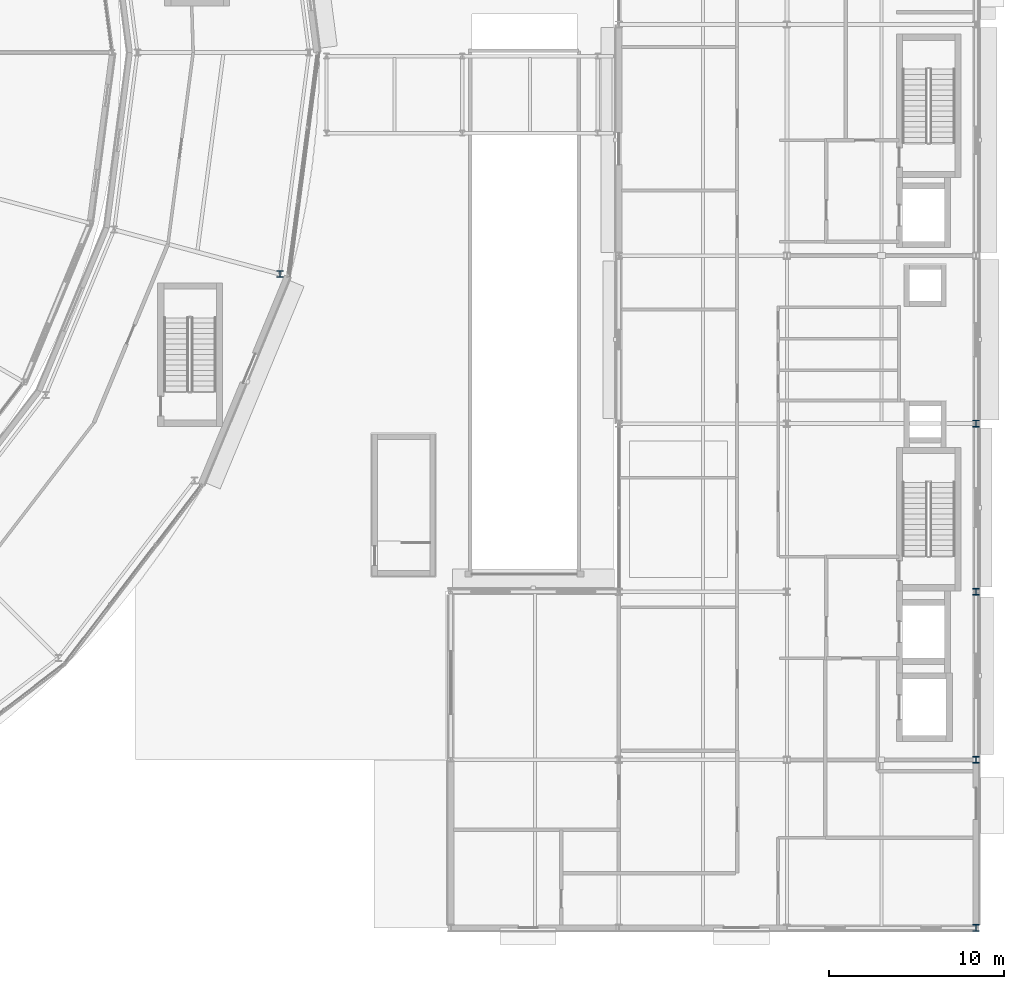
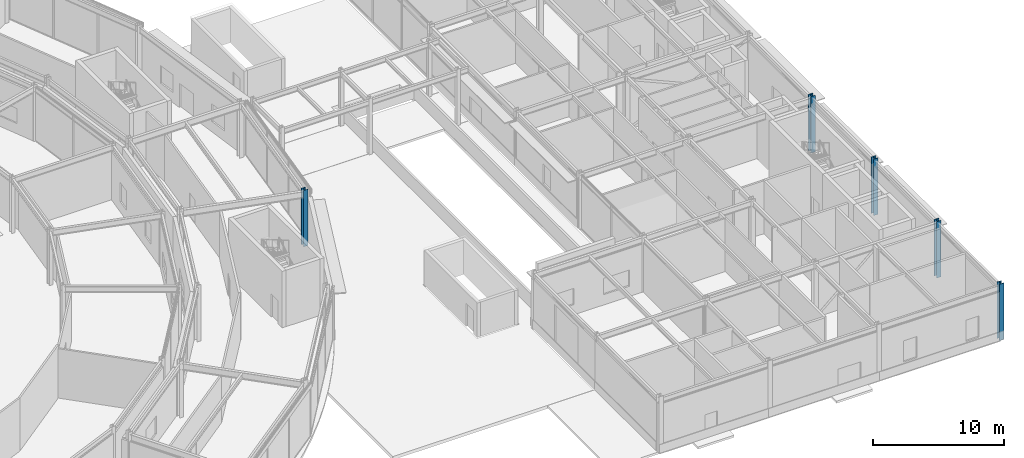
# One storey, part 16 of 168: 5 columns.
"""IFC4 building model written with IfcOpenShell, lengths in metres."""

from ifc_helpers import new_model, si_unit, direction, frame, origin, origin_2d, place, context, subcontext, project, spatial, i_section, extrude, material, material_profile, profile_set, type_object, element, save


model = new_model("IFC4")

# Units and contexts
model_context = context("Model", 3, precision=1e-05, world=origin(), true_north=direction((0.0, 1.0)))
body_context = subcontext(model_context, "Body", "Model", "MODEL_VIEW")
ifc_project = project(units=[si_unit("LENGTHUNIT", "METRE"), si_unit("AREAUNIT", "SQUARE_METRE"), si_unit("VOLUMEUNIT", "CUBIC_METRE"), si_unit("PLANEANGLEUNIT", "RADIAN"), si_unit("MASSUNIT", "GRAM", prefix="KILO")], contexts=[model_context])

# Site, building, storey
site_placement = place(None, origin())
site = spatial("IfcSite", under=ifc_project, at=site_placement, CompositionType="ELEMENT")
building_placement = place(site_placement, origin())
building = spatial("IfcBuilding", under=site, at=building_placement, Name="Almandine Court Research Institute", CompositionType="ELEMENT")
storey_placement = place(building_placement, origin())
storey = spatial("IfcBuildingStorey", under=building, at=storey_placement, Name="L00", CompositionType="ELEMENT", Elevation=0.0)

# Columns
ifc_material = material(Name="Steel ASTM A992 Grade 50", Category="steel")
ifc_material_profile_1 = material_profile(ifc_material, i_section(OverallWidth=0.39794921875, OverallDepth=0.386962890625, WebThickness=0.02392578125, FlangeThickness=0.0390625, at=origin_2d()), Name="W360x262")
ifc_profile_set_1 = profile_set([ifc_material_profile_1], Name="Steel ASTM A992 Grade 50")
column_type_1 = type_object("IfcColumnType", Name="Col-C-W01-E", PredefinedType="COLUMN", material=ifc_profile_set_1)
for number, where, z_axis, x_axis, name in (
    (1, (174.0, 6.0, 0.0), (0.0, 0.0, 1.0), (1.0, 0.0, 0.0), "L00 V4 Column V4-X4Y1"),
    (2, (174.0, 15.60009765625, 0.0), (0.0, 0.0, 1.0), (1.0, 0.0, 0.0), "L00 V4 Column V4-X4Y2"),
    (3, (174.0, 25.199951171875, 0.0), (0.0, 0.0, 1.0), (1.0, 0.0, 0.0), "L00 V4 Column V4-X4Y3"),
    (4, (174.0, 34.800048828125, 0.0), (0.0, 0.0, 1.0), (1.0, 0.0, 0.0), "L00 V4 Column V4-X4Y4"),
):
    element("IfcColumn", number, at=place(storey_placement, frame(where, z_axis=z_axis, x_axis=x_axis)), inside=storey, type_object=column_type_1, Name=name, PredefinedType="COLUMN", context=body_context, shape_type="SweptSolid", body=[
        extrude(i_section(OverallWidth=0.39794921875, OverallDepth=0.386962890625, WebThickness=0.02392578125, FlangeThickness=0.0390625, at=origin_2d()), origin(), (0.0, 0.0, 1.0), 5.25),
    ])
ifc_material_profile_2 = material_profile(ifc_material, i_section(OverallWidth=0.373046875, OverallDepth=0.367919921875, WebThickness=0.01708984375, FlangeThickness=0.027099609375, at=origin_2d()), Name="W360x179")
ifc_profile_set_2 = profile_set([ifc_material_profile_2], Name="Steel ASTM A992 Grade 50")
column_type_2 = type_object("IfcColumnType", Name="Col-C-W03-E", PredefinedType="COLUMN", material=ifc_profile_set_2)
column_placement = place(storey_placement, frame((134.23388671875, 43.343994140625, 0.0), z_axis=(0.0, 0.0, 1.0), x_axis=(1.0, 0.0, 0.0)))
element("IfcColumn", 5, at=column_placement, inside=storey, type_object=column_type_2, Name="L00 V5 Column V5-OUT-S23", PredefinedType="COLUMN", context=body_context, shape_type="SweptSolid", body=[
    extrude(i_section(OverallWidth=0.373046875, OverallDepth=0.367919921875, WebThickness=0.01708984375, FlangeThickness=0.027099609375, at=origin_2d()), origin(), (0.0, 0.0, 1.0), 5.25),
])

save(model, "model.ifc")
